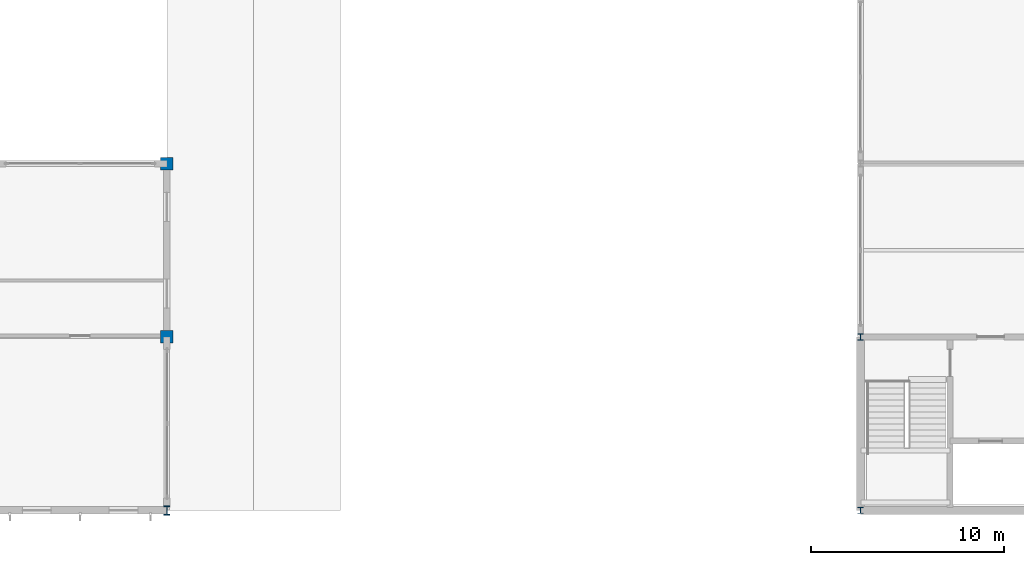
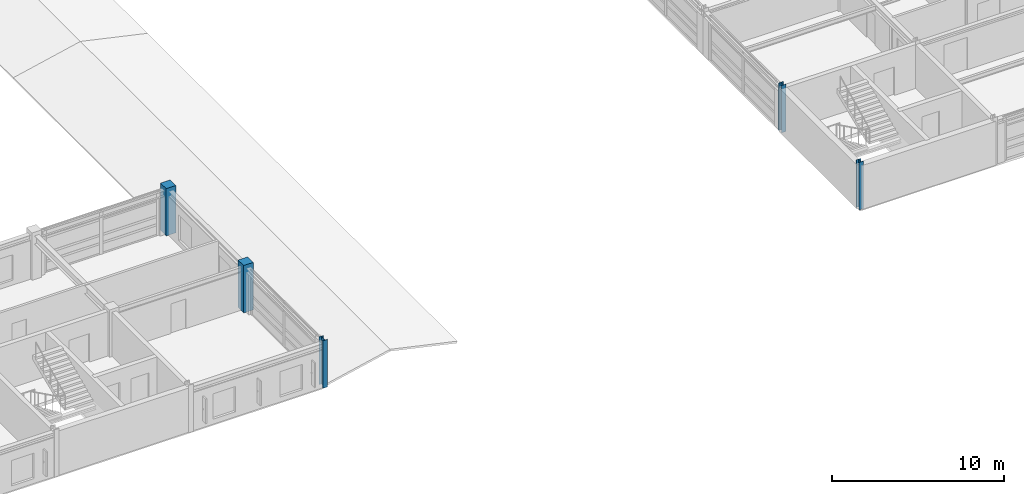
# One storey, part 4 of 91: 5 columns.
"""IFC4 building model written with IfcOpenShell, lengths in metres."""

from ifc_helpers import new_model, si_unit, direction, frame, origin, origin_2d, place, context, subcontext, project, spatial, rectangle, i_section, extrude, material, material_profile, profile_set, type_object, element, save


model = new_model("IFC4")

# Units and contexts
model_context = context("Model", 3, precision=1e-05, world=origin(), true_north=direction((0.0, 1.0)))
body_context = subcontext(model_context, "Body", "Model", "MODEL_VIEW")
ifc_project = project(units=[si_unit("LENGTHUNIT", "METRE"), si_unit("AREAUNIT", "SQUARE_METRE"), si_unit("VOLUMEUNIT", "CUBIC_METRE"), si_unit("PLANEANGLEUNIT", "RADIAN"), si_unit("MASSUNIT", "GRAM", prefix="KILO")], contexts=[model_context])

# Site, building, storey
site_placement = place(None, origin())
site = spatial("IfcSite", under=ifc_project, at=site_placement, CompositionType="ELEMENT")
building_placement = place(site_placement, origin())
building = spatial("IfcBuilding", under=site, at=building_placement, Name="Palais des Congres Ocreval", CompositionType="ELEMENT")
storey_placement = place(building_placement, frame((0.0, 0.0, 8.159912109375)))
storey = spatial("IfcBuildingStorey", under=building, at=storey_placement, Name="L02", CompositionType="ELEMENT", Elevation=8.159912109375)

# Columns
ifc_material_1 = material(Name="Steel S355", Category="steel")
ifc_material_profile_1 = material_profile(ifc_material_1, i_section(OverallWidth=0.300048828125, OverallDepth=0.320068359375, WebThickness=0.011474609375, FlangeThickness=0.0205078125, at=origin_2d()), Name="HEB 320")
ifc_profile_set_1 = profile_set([ifc_material_profile_1], Name="Steel S355")
column_type_1 = type_object("IfcColumnType", Name="Column HEB 320 Steel S355", PredefinedType="COLUMN", material=ifc_profile_set_1)
for number, where, z_axis, x_axis, name in (
    (1, (108.0, 0.0, 0.0), (0.0, 0.0, 1.0), (1.0, 0.0, 0.0), "Column C12 L02"),
    (2, (108.0, 9.0, 0.0), (0.0, 0.0, 1.0), (1.0, 0.0, 0.0), "Column C12 L02"),
):
    element("IfcColumn", number, at=place(storey_placement, frame(where, z_axis=z_axis, x_axis=x_axis)), inside=storey, type_object=column_type_1, Name=name, PredefinedType="COLUMN", context=body_context, shape_type="SweptSolid", body=[
        extrude(i_section(OverallWidth=0.300048828125, OverallDepth=0.320068359375, WebThickness=0.011474609375, FlangeThickness=0.0205078125, at=origin_2d()), origin(), (0.0, 0.0, 1.0), 3.360107421875),
    ])
ifc_material_profile_2 = material_profile(ifc_material_1, i_section(OverallWidth=0.306884765625, OverallDepth=0.47802734375, WebThickness=0.02099609375, FlangeThickness=0.0400390625, at=origin_2d()), Name="HEM 450")
ifc_profile_set_2 = profile_set([ifc_material_profile_2], Name="Steel S355")
column_type_2 = type_object("IfcColumnType", Name="Column HEM 450 Steel S355", PredefinedType="COLUMN", material=ifc_profile_set_2)
column_placement = place(storey_placement, frame((72.0, 0.0, 0.0), z_axis=(0.0, 0.0, 1.0), x_axis=(1.0, 0.0, 0.0)))
element("IfcColumn", 3, at=column_placement, inside=storey, type_object=column_type_2, Name="Column C06 L02", PredefinedType="COLUMN", context=body_context, shape_type="SweptSolid", body=[
    extrude(i_section(OverallWidth=0.306884765625, OverallDepth=0.47802734375, WebThickness=0.02099609375, FlangeThickness=0.0400390625, at=origin_2d()), origin(), (0.0, 0.0, 1.0), 3.360107421875),
])
ifc_material_2 = material(Name="Concrete C40/50", Category="concrete")
ifc_material_profile_3 = material_profile(ifc_material_2, rectangle(XDim=0.64990234375, YDim=0.64990234375, at=origin_2d()), Name="RC 650x650")
ifc_profile_set_3 = profile_set([ifc_material_profile_3], Name="Concrete C40/50")
column_type_3 = type_object("IfcColumnType", Name="Column RC 650x650 Concrete C40/50", PredefinedType="COLUMN", material=ifc_profile_set_3)
for number, where, z_axis, x_axis, name in (
    (4, (72.0, 9.0, 0.0), (0.0, 0.0, 1.0), (1.0, 0.0, 0.0), "Column C23 L02"),
    (5, (72.0, 18.0, 0.0), (0.0, 0.0, 1.0), (1.0, 0.0, 0.0), "Column C23 L02"),
):
    element("IfcColumn", number, at=place(storey_placement, frame(where, z_axis=z_axis, x_axis=x_axis)), inside=storey, type_object=column_type_3, Name=name, PredefinedType="COLUMN", context=body_context, shape_type="SweptSolid", body=[
        extrude(rectangle(XDim=0.64990234375, YDim=0.64990234375, at=origin_2d()), origin(), (0.0, 0.0, 1.0), 3.360107421875),
    ])

save(model, "model.ifc")
